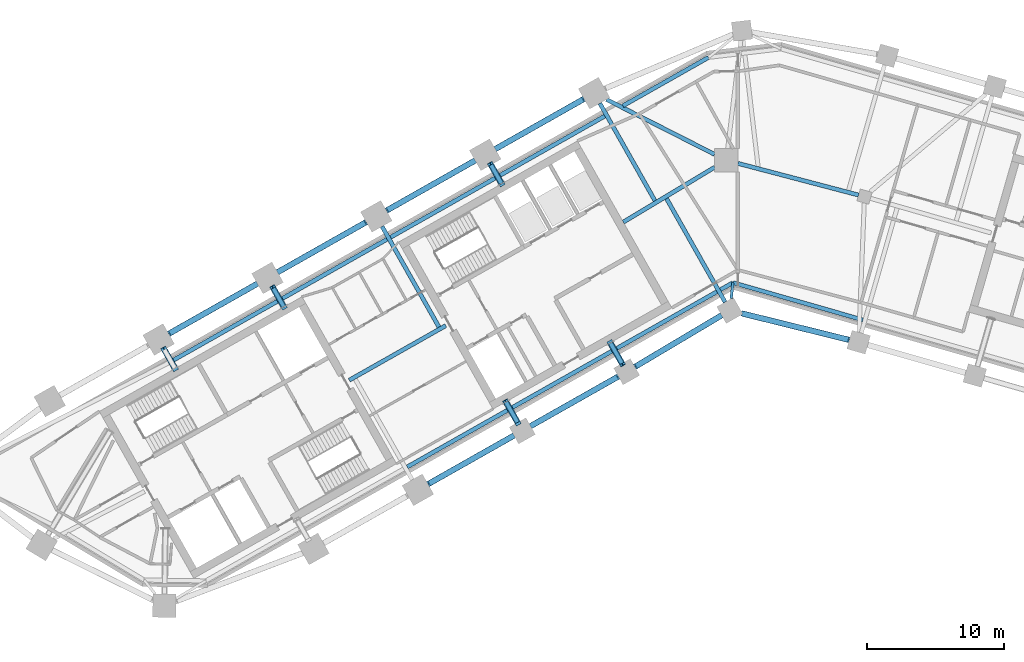
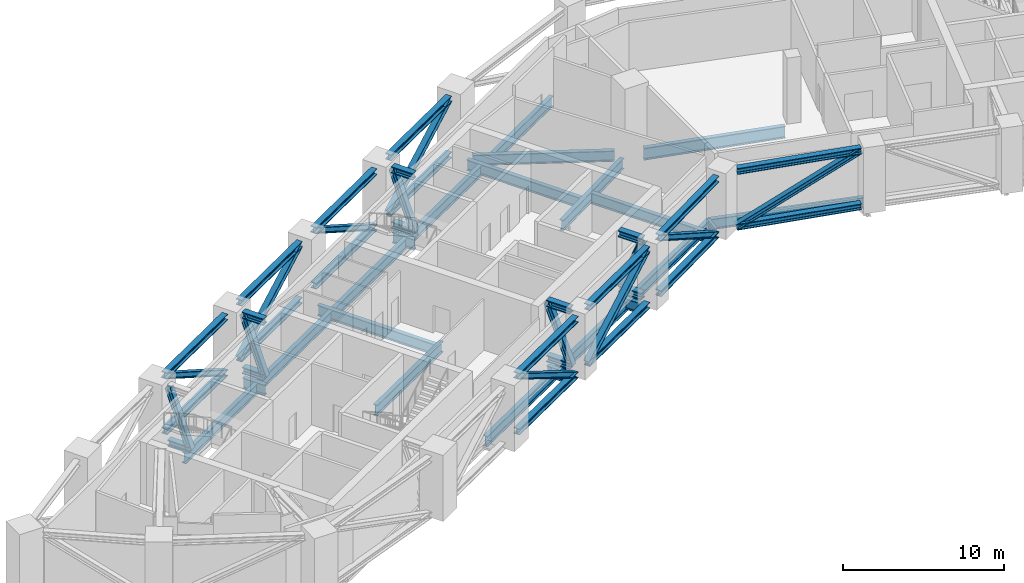
# One storey, part 2 of 16: 38 members, 22 beams.
"""IFC4 building model written with IfcOpenShell, lengths in metres."""

from ifc_helpers import new_model, si_unit, direction, frame, origin, origin_2d, place, context, subcontext, project, spatial, i_section, extrude, material, material_profile, profile_set, type_object, element, save


model = new_model("IFC4")

# Units and contexts
model_context = context("Model", 3, precision=1e-05, world=origin(), true_north=direction((0.0, 1.0)))
body_context = subcontext(model_context, "Body", "Model", "MODEL_VIEW")
ifc_project = project(units=[si_unit("LENGTHUNIT", "METRE"), si_unit("AREAUNIT", "SQUARE_METRE"), si_unit("VOLUMEUNIT", "CUBIC_METRE"), si_unit("PLANEANGLEUNIT", "RADIAN"), si_unit("MASSUNIT", "GRAM", prefix="KILO")], contexts=[model_context])

# Site, building, storey
site_placement = place(None, origin())
site = spatial("IfcSite", under=ifc_project, at=site_placement, CompositionType="ELEMENT")
building_placement = place(site_placement, origin())
building = spatial("IfcBuilding", under=site, at=building_placement, Name="Binnacle Exchange Tower", CompositionType="ELEMENT")
storey_placement = place(building_placement, frame((0.0, 0.0, 149.89990234375)))
storey = spatial("IfcBuildingStorey", under=building, at=storey_placement, Name="L31", CompositionType="ELEMENT", Elevation=149.89990234375)

# Members
ifc_material_1 = material(Name="Steel S460 (SHN460)", Category="steel")
ifc_material_profile_1 = material_profile(ifc_material_1, i_section(OverallWidth=0.4169921875, OverallDepth=0.4580078125, WebThickness=0.030029296875, FlangeThickness=0.050048828125, FilletRadius=0.02197265625, at=origin_2d()), Name="H 458x417x30x50")
ifc_profile_set_1 = profile_set([ifc_material_profile_1], Name="Steel S460 (SHN460)")
member_type_1 = type_object("IfcMemberType", Name="Belt truss chord BT31C H 458x417x30x50 Steel S460 (SHN460)", PredefinedType="CHORD", material=ifc_profile_set_1)
for number, where, z_axis, x_axis, name in (
    (1, (-11.23486328125, 64.483154296875, 4.451171875), (-0.870364477798, -0.492408037898, 0.0), (0.492408037898, -0.870364477798, 0.0), "S:TR:L31:BEL:016"),
    (2, (-11.23486328125, 64.483154296875, 0.22900390625), (-0.870364477798, -0.492408037898, 0.0), (0.492408037898, -0.870364477798, 0.0), "S:TR:L31:BEL:017"),
    (3, (-19.18115234375, 59.9873046875, 4.451171875), (-0.870364477798, -0.492408037898, 0.0), (0.492408037898, -0.870364477798, 0.0), "S:TR:L31:BEL:019"),
    (4, (-19.18115234375, 59.9873046875, 0.22900390625), (-0.870364477798, -0.492408037898, 0.0), (0.492408037898, -0.870364477798, 0.0), "S:TR:L31:BEL:020"),
):
    element("IfcMember", number, at=place(storey_placement, frame(where, z_axis=z_axis, x_axis=x_axis)), inside=storey, type_object=member_type_1, Name=name, PredefinedType="CHORD", context=body_context, shape_type="SweptSolid", body=[
        extrude(i_section(OverallWidth=0.4169921875, OverallDepth=0.4580078125, WebThickness=0.030029296875, FlangeThickness=0.050048828125, FilletRadius=0.02197265625, at=origin_2d()), origin(), (0.0, 0.0, 1.0), 7.4296875),
    ])
for number, where, z_axis, x_axis, name in (
    (5, (-27.12744140625, 55.49169921875, 4.451171875), (-0.870350394687, -0.492432929919, 0.0), (0.492432929919, -0.870350394687, 0.0), "S:TR:L31:BEL:022"),
    (6, (-27.12744140625, 55.49169921875, 0.22900390625), (-0.870350394687, -0.492432929919, 0.0), (0.492432929919, -0.870350394687, 0.0), "S:TR:L31:BEL:023"),
    (7, (-35.073486328125, 50.995849609375, 4.451171875), (-0.870372444894, -0.492393955253, 0.0), (0.492393955253, -0.870372444894, 0.0), "S:TR:L31:BEL:025"),
    (8, (-35.073486328125, 50.995849609375, 0.22900390625), (-0.870372444894, -0.492393955253, 0.0), (0.492393955253, -0.870372444894, 0.0), "S:TR:L31:BEL:026"),
):
    element("IfcMember", number, at=place(storey_placement, frame(where, z_axis=z_axis, x_axis=x_axis)), inside=storey, type_object=member_type_1, Name=name, PredefinedType="CHORD", context=body_context, shape_type="SweptSolid", body=[
        extrude(i_section(OverallWidth=0.4169921875, OverallDepth=0.4580078125, WebThickness=0.030029296875, FlangeThickness=0.050048828125, FilletRadius=0.02197265625, at=origin_2d()), origin(), (0.0, 0.0, 1.0), 7.429931640625),
    ])
for number, where, z_axis, x_axis, name in (
    (9, (-22.6162109375, 36.36474609375, 4.451171875), (0.870345646157, 0.492441322612, 0.0), (-0.492441322612, 0.870345646157, 0.0), "S:TR:L31:BEL:046"),
    (10, (-22.6162109375, 36.36474609375, 0.22900390625), (0.870345646157, 0.492441322612, 0.0), (-0.492441322612, 0.870345646157, 0.0), "S:TR:L31:BEL:047"),
):
    element("IfcMember", number, at=place(storey_placement, frame(where, z_axis=z_axis, x_axis=x_axis)), inside=storey, type_object=member_type_1, Name=name, PredefinedType="CHORD", context=body_context, shape_type="SweptSolid", body=[
        extrude(i_section(OverallWidth=0.4169921875, OverallDepth=0.4580078125, WebThickness=0.030029296875, FlangeThickness=0.050048828125, FilletRadius=0.02197265625, at=origin_2d()), origin(), (0.0, 0.0, 1.0), 7.20458984375),
    ])
for number, where, z_axis, x_axis, name in (
    (11, (-15.127197265625, 40.601806640625, 4.451171875), (0.870355645737, 0.492423648837, 0.0), (-0.492423648837, 0.870355645737, 0.0), "S:TR:L31:BEL:049"),
    (12, (-15.127197265625, 40.601806640625, 0.22900390625), (0.870355645737, 0.492423648837, 0.0), (-0.492423648837, 0.870355645737, 0.0), "S:TR:L31:BEL:050"),
):
    element("IfcMember", number, at=place(storey_placement, frame(where, z_axis=z_axis, x_axis=x_axis)), inside=storey, type_object=member_type_1, Name=name, PredefinedType="CHORD", context=body_context, shape_type="SweptSolid", body=[
        extrude(i_section(OverallWidth=0.4169921875, OverallDepth=0.4580078125, WebThickness=0.030029296875, FlangeThickness=0.050048828125, FilletRadius=0.02197265625, at=origin_2d()), origin(), (0.0, 0.0, 1.0), 7.3544921875),
    ])
for number, where, z_axis, x_axis, name in (
    (13, (-7.51513671875, 44.926025390625, 4.451171875), (0.859466137143, 0.511192682952, 0.0), (-0.511192682952, 0.859466137143, 0.0), "S:TR:L31:BEL:052"),
    (14, (-7.51513671875, 44.926025390625, 0.22900390625), (0.859466137143, 0.511192682952, 0.0), (-0.511192682952, 0.859466137143, 0.0), "S:TR:L31:BEL:053"),
):
    element("IfcMember", number, at=place(storey_placement, frame(where, z_axis=z_axis, x_axis=x_axis)), inside=storey, type_object=member_type_1, Name=name, PredefinedType="CHORD", context=body_context, shape_type="SweptSolid", body=[
        extrude(i_section(OverallWidth=0.4169921875, OverallDepth=0.4580078125, WebThickness=0.030029296875, FlangeThickness=0.050048828125, FilletRadius=0.02197265625, at=origin_2d()), origin(), (0.0, 0.0, 1.0), 7.356201171875),
    ])
for number, where, z_axis, x_axis, name in (
    (15, (0.343994140625, 48.8134765625, 4.451171875), (0.970820959584, -0.239805472064, 0.0), (0.239805472064, 0.970820959584, 0.0), "S:TR:L31:BEL:055"),
    (16, (0.343994140625, 48.8134765625, 0.22900390625), (0.970820959584, -0.239805472064, 0.0), (0.239805472064, 0.970820959584, 0.0), "S:TR:L31:BEL:056"),
):
    element("IfcMember", number, at=place(storey_placement, frame(where, z_axis=z_axis, x_axis=x_axis)), inside=storey, type_object=member_type_1, Name=name, PredefinedType="CHORD", context=body_context, shape_type="SweptSolid", body=[
        extrude(i_section(OverallWidth=0.4169921875, OverallDepth=0.4580078125, WebThickness=0.030029296875, FlangeThickness=0.050048828125, FilletRadius=0.02197265625, at=origin_2d()), origin(), (0.0, 0.0, 1.0), 8.019287109375),
    ])
ifc_material_2 = material(Name="Steel S355 (SHN355)", Category="steel")
ifc_material_profile_2 = material_profile(ifc_material_2, i_section(OverallWidth=0.403076171875, OverallDepth=0.406005859375, WebThickness=0.01611328125, FlangeThickness=0.02392578125, FilletRadius=0.02197265625, at=origin_2d()), Name="H 406x403x16x24")
ifc_profile_set_2 = profile_set([ifc_material_profile_2], Name="Steel S355 (SHN355)")
member_type_2 = type_object("IfcMemberType", Name="Belt truss diagonal BT31D H 406x403x16x24 Steel S355 (SHN355)", PredefinedType="BRACE", material=ifc_profile_set_2)
for number, where, z_axis, x_axis, name in (
    (17, (-11.23486328125, 64.483154296875, 4.451171875), (-0.756711564244, -0.428108988946, -0.494075198854), (0.492408037898, -0.870364477798, 0.0), "S:TR:L31:BEL:018"),
    (18, (-19.18115234375, 59.9873046875, 0.22900390625), (-0.756711564244, -0.428108988946, 0.494075198854), (0.492408037898, -0.870364477798, 0.0), "S:TR:L31:BEL:021"),
    (19, (-27.12744140625, 55.49169921875, 4.451171875), (-0.75670230898, -0.428132321606, -0.494069155869), (0.492432929919, -0.870350394687, 0.0), "S:TR:L31:BEL:024"),
):
    element("IfcMember", number, at=place(storey_placement, frame(where, z_axis=z_axis, x_axis=x_axis)), inside=storey, type_object=member_type_2, Name=name, PredefinedType="BRACE", context=body_context, shape_type="SweptSolid", body=[
        extrude(i_section(OverallWidth=0.403076171875, OverallDepth=0.406005859375, WebThickness=0.01611328125, FlangeThickness=0.02392578125, FilletRadius=0.02197265625, at=origin_2d()), origin(), (0.0, 0.0, 1.0), 8.545654296875),
    ])
member_1_placement = place(storey_placement, frame((-35.073486328125, 50.995849609375, 0.22900390625), z_axis=(-0.756723773957, -0.428099733945, 0.494064517775), x_axis=(0.492393955253, -0.870372444894, 0.0)))
element("IfcMember", 20, at=member_1_placement, inside=storey, type_object=member_type_2, Name="S:TR:L31:BEL:027", PredefinedType="BRACE", context=body_context, shape_type="SweptSolid", body=[
    extrude(i_section(OverallWidth=0.403076171875, OverallDepth=0.406005859375, WebThickness=0.01611328125, FlangeThickness=0.02392578125, FilletRadius=0.02197265625, at=origin_2d()), origin(), (0.0, 0.0, 1.0), 8.5458984375),
])
member_2_placement = place(storey_placement, frame((-22.6162109375, 36.36474609375, 4.451171875), z_axis=(0.750901288292, 0.424859738415, -0.505609985973), x_axis=(-0.492441322612, 0.870345646157, 0.0)))
element("IfcMember", 21, at=member_2_placement, inside=storey, type_object=member_type_2, Name="S:TR:L31:BEL:048", PredefinedType="BRACE", context=body_context, shape_type="SweptSolid", body=[
    extrude(i_section(OverallWidth=0.403076171875, OverallDepth=0.406005859375, WebThickness=0.01611328125, FlangeThickness=0.02392578125, FilletRadius=0.02197265625, at=origin_2d()), origin(), (0.0, 0.0, 1.0), 8.3505859375),
])
member_3_placement = place(storey_placement, frame((-15.127197265625, 40.601806640625, 0.22900390625), z_axis=(0.754815118885, 0.427053948417, 0.49787454388), x_axis=(-0.492423648837, 0.870355645737, 0.0)))
element("IfcMember", 22, at=member_3_placement, inside=storey, type_object=member_type_2, Name="S:TR:L31:BEL:051", PredefinedType="BRACE", context=body_context, shape_type="SweptSolid", body=[
    extrude(i_section(OverallWidth=0.403076171875, OverallDepth=0.406005859375, WebThickness=0.01611328125, FlangeThickness=0.02392578125, FilletRadius=0.02197265625, at=origin_2d()), origin(), (0.0, 0.0, 1.0), 8.48046875),
])
member_4_placement = place(storey_placement, frame((-7.51513671875, 44.926025390625, 4.451171875), z_axis=(0.745414298378, 0.443357008067, -0.497787190646), x_axis=(-0.511192682952, 0.859466137143, 0.0)))
element("IfcMember", 23, at=member_4_placement, inside=storey, type_object=member_type_2, Name="S:TR:L31:BEL:054", PredefinedType="BRACE", context=body_context, shape_type="SweptSolid", body=[
    extrude(i_section(OverallWidth=0.403076171875, OverallDepth=0.406005859375, WebThickness=0.01611328125, FlangeThickness=0.02392578125, FilletRadius=0.02197265625, at=origin_2d()), origin(), (0.0, 0.0, 1.0), 8.48193359375),
])
member_5_placement = place(storey_placement, frame((0.343994140625, 48.8134765625, 0.22900390625), z_axis=(0.85903393753, -0.212192615821, 0.465870140664), x_axis=(0.239805472064, 0.970820959584, 0.0)))
element("IfcMember", 24, at=member_5_placement, inside=storey, type_object=member_type_2, Name="S:TR:L31:BEL:057", PredefinedType="BRACE", context=body_context, shape_type="SweptSolid", body=[
    extrude(i_section(OverallWidth=0.403076171875, OverallDepth=0.406005859375, WebThickness=0.01611328125, FlangeThickness=0.02392578125, FilletRadius=0.02197265625, at=origin_2d()), origin(), (0.0, 0.0, 1.0), 9.06298828125),
])

# Beams
ifc_material_profile_3 = material_profile(ifc_material_2, i_section(OverallWidth=0.300048828125, OverallDepth=0.800048828125, WebThickness=0.013916015625, FlangeThickness=0.02587890625, FilletRadius=0.028076171875, at=origin_2d()), Name="H 800x300x14x26")
ifc_profile_set_3 = profile_set([ifc_material_profile_3], Name="Steel S355 (SHN355)")
beam_type_1 = type_object("IfcBeamType", Name="Edge girder H 800x300x14x26 Steel S355 (SHN355)", PredefinedType="SPANDREL", material=ifc_profile_set_3)
for number, where, z_axis, x_axis, name in (
    (25, (-41.243408203125, 45.39111328125, -0.75), (0.870355237169, 0.492424370977, 0.0), (-0.492424370977, 0.870355237169, 0.0), "S:BM:edge:L31:019"),
    (26, (-33.297119140625, 49.886962890625, -0.75), (0.870355237169, 0.492424370977, 0.0), (-0.492424370977, 0.870355237169, 0.0), "S:BM:edge:L31:021"),
):
    element("IfcBeam", number, at=place(storey_placement, frame(where, z_axis=z_axis, x_axis=x_axis)), inside=storey, type_object=beam_type_1, Name=name, PredefinedType="SPANDREL", context=body_context, shape_type="SweptSolid", body=[
        extrude(i_section(OverallWidth=0.300048828125, OverallDepth=0.800048828125, WebThickness=0.013916015625, FlangeThickness=0.02587890625, FilletRadius=0.028076171875, at=origin_2d()), origin(), (0.0, 0.0, 1.0), 8.830078125),
    ])
beam_1_placement = place(storey_placement, frame((-25.350830078125, 54.3828125, -0.75), z_axis=(0.870367086897, 0.492403426111, 0.0), x_axis=(-0.492403426111, 0.870367086897, 0.0)))
element("IfcBeam", 27, at=beam_1_placement, inside=storey, type_object=beam_type_1, Name="S:BM:edge:L31:023", PredefinedType="SPANDREL", context=body_context, shape_type="SweptSolid", body=[
    extrude(i_section(OverallWidth=0.300048828125, OverallDepth=0.800048828125, WebThickness=0.013916015625, FlangeThickness=0.02587890625, FilletRadius=0.028076171875, at=origin_2d()), origin(), (0.0, 0.0, 1.0), 8.829833984375),
])
beam_2_placement = place(storey_placement, frame((-17.404296875, 58.87841796875, -0.75), z_axis=(0.870352119126, 0.492429882046, 0.0), x_axis=(-0.492429882046, 0.870352119126, 0.0)))
element("IfcBeam", 28, at=beam_2_placement, inside=storey, type_object=beam_type_1, Name="S:BM:edge:L31:025", PredefinedType="SPANDREL", context=body_context, shape_type="SweptSolid", body=[
    extrude(i_section(OverallWidth=0.300048828125, OverallDepth=0.800048828125, WebThickness=0.013916015625, FlangeThickness=0.02587890625, FilletRadius=0.028076171875, at=origin_2d()), origin(), (0.0, 0.0, 1.0), 8.8291015625),
])
beam_3_placement = place(storey_placement, frame((-16.772705078125, 41.784912109375, -0.75), z_axis=(-0.870362169255, -0.492412118383, 0.0), x_axis=(0.492412118383, -0.870362169255, 0.0)))
element("IfcBeam", 29, at=beam_3_placement, inside=storey, type_object=beam_type_1, Name="S:BM:edge:L31:026", PredefinedType="SPANDREL", context=body_context, shape_type="SweptSolid", body=[
    extrude(i_section(OverallWidth=0.300048828125, OverallDepth=0.800048828125, WebThickness=0.013916015625, FlangeThickness=0.02587890625, FilletRadius=0.028076171875, at=origin_2d()), origin(), (0.0, 0.0, 1.0), 8.455078125),
])
beam_4_placement = place(storey_placement, frame((-9.153564453125, 46.095703125, -0.75), z_axis=(-0.87035353945, -0.492427371668, 0.0), x_axis=(0.492427371668, -0.87035353945, 0.0)))
element("IfcBeam", 30, at=beam_4_placement, inside=storey, type_object=beam_type_1, Name="S:BM:edge:L31:027", PredefinedType="SPANDREL", context=body_context, shape_type="SweptSolid", body=[
    extrude(i_section(OverallWidth=0.300048828125, OverallDepth=0.800048828125, WebThickness=0.013916015625, FlangeThickness=0.02587890625, FilletRadius=0.028076171875, at=origin_2d()), origin(), (0.0, 0.0, 1.0), 8.4541015625),
])
beam_5_placement = place(storey_placement, frame((-8.396240234375, 63.97509765625, -0.75), z_axis=(0.870355215892, 0.492424408585, 0.0), x_axis=(-0.492424408585, 0.870355215892, 0.0)))
element("IfcBeam", 31, at=beam_5_placement, inside=storey, type_object=beam_type_1, Name="S:BM:edge:L31:028", PredefinedType="SPANDREL", context=body_context, shape_type="SweptSolid", body=[
    extrude(i_section(OverallWidth=0.300048828125, OverallDepth=0.800048828125, WebThickness=0.013916015625, FlangeThickness=0.02587890625, FilletRadius=0.028076171875, at=origin_2d()), origin(), (0.0, 0.0, 1.0), 7.18603515625),
])
beam_6_placement = place(storey_placement, frame((-1.53369140625, 50.40673828125, -0.75), z_axis=(-0.870362169255, -0.492412118383, 0.0), x_axis=(0.492412118383, -0.870362169255, 0.0)))
element("IfcBeam", 32, at=beam_6_placement, inside=storey, type_object=beam_type_1, Name="S:BM:edge:L31:030", PredefinedType="SPANDREL", context=body_context, shape_type="SweptSolid", body=[
    extrude(i_section(OverallWidth=0.300048828125, OverallDepth=0.800048828125, WebThickness=0.013916015625, FlangeThickness=0.02587890625, FilletRadius=0.028076171875, at=origin_2d()), origin(), (0.0, 0.0, 1.0), 8.455078125),
])
beam_7_placement = place(storey_placement, frame((-0.36328125, 51.069091796875, -0.75), z_axis=(-0.870349468157, -0.49243456751, 0.0), x_axis=(0.49243456751, -0.870349468157, 0.0)))
element("IfcBeam", 33, at=beam_7_placement, inside=storey, type_object=beam_type_1, Name="S:BM:edge:L31:031", PredefinedType="SPANDREL", context=body_context, shape_type="SweptSolid", body=[
    extrude(i_section(OverallWidth=0.300048828125, OverallDepth=0.800048828125, WebThickness=0.013916015625, FlangeThickness=0.02587890625, FilletRadius=0.028076171875, at=origin_2d()), origin(), (0.0, 0.0, 1.0), 1.044677734375),
])
beam_8_placement = place(storey_placement, frame((9.119873046875, 48.349853515625, -0.75), z_axis=(-0.961262030472, 0.275636189156, 0.0), x_axis=(-0.275636189156, -0.961262030472, 0.0)))
element("IfcBeam", 34, at=beam_8_placement, inside=storey, type_object=beam_type_1, Name="S:BM:edge:L31:034", PredefinedType="SPANDREL", context=body_context, shape_type="SweptSolid", body=[
    extrude(i_section(OverallWidth=0.300048828125, OverallDepth=0.800048828125, WebThickness=0.013916015625, FlangeThickness=0.02587890625, FilletRadius=0.028076171875, at=origin_2d()), origin(), (0.0, 0.0, 1.0), 9.865234375),
])
ifc_material_profile_4 = material_profile(ifc_material_2, i_section(OverallWidth=0.199951171875, OverallDepth=0.39990234375, WebThickness=0.008056640625, FlangeThickness=0.012939453125, FilletRadius=0.01611328125, at=origin_2d()), Name="H 400x200x8x13")
ifc_profile_set_4 = profile_set([ifc_material_profile_4], Name="Steel S355 (SHN355)")
beam_type_2 = type_object("IfcBeamType", Name="Floor beam H 400x200x8x13 Steel S355 (SHN355)", PredefinedType="BEAM", material=ifc_profile_set_4)
beam_9_placement = place(storey_placement, frame((-0.494384765625, 49.9033203125, -0.5498046875), z_axis=(0.111756239638, 0.993735650413, 0.0), x_axis=(-0.993735650413, 0.111756239638, 0.0)))
element("IfcBeam", 35, at=beam_9_placement, inside=storey, type_object=beam_type_2, Name="S:BM:cross:L31:065", PredefinedType="BEAM", context=body_context, shape_type="SweptSolid", body=[
    extrude(i_section(OverallWidth=0.199951171875, OverallDepth=0.39990234375, WebThickness=0.008056640625, FlangeThickness=0.012939453125, FilletRadius=0.01611328125, at=origin_2d()), origin(), (0.0, 0.0, 1.0), 1.173095703125),
])
ifc_material_profile_5 = material_profile(ifc_material_2, i_section(OverallWidth=0.300048828125, OverallDepth=0.800048828125, WebThickness=0.013916015625, FlangeThickness=0.02587890625, FilletRadius=0.028076171875, at=origin_2d()), Name="H 800x300x14x26")
ifc_profile_set_5 = profile_set([ifc_material_profile_5], Name="Steel S355 (SHN355)")
beam_type_3 = type_object("IfcBeamType", Name="Floor beam H 800x300x14x26 Steel S355 (SHN355)", PredefinedType="BEAM", material=ifc_profile_set_5)
beam_10_placement = place(storey_placement, frame((-33.915283203125, 50.674560546875, -0.75), z_axis=(0.492483715062, -0.870321659158, 0.0), x_axis=(0.870321659158, 0.492483715062, 0.0)))
element("IfcBeam", 36, at=beam_10_placement, inside=storey, type_object=beam_type_3, Name="S:BM:cross:L31:056", PredefinedType="BEAM", context=body_context, shape_type="SweptSolid", body=[
    extrude(i_section(OverallWidth=0.300048828125, OverallDepth=0.800048828125, WebThickness=0.013916015625, FlangeThickness=0.02587890625, FilletRadius=0.028076171875, at=origin_2d()), origin(), (0.0, 0.0, 1.0), 1.58447265625),
])
beam_11_placement = place(storey_placement, frame((-18.022705078125, 59.666259765625, -0.75), z_axis=(0.492366981934, -0.870387703901, 0.0), x_axis=(0.870387703901, 0.492366981934, 0.0)))
element("IfcBeam", 37, at=beam_11_placement, inside=storey, type_object=beam_type_3, Name="S:BM:cross:L31:060", PredefinedType="BEAM", context=body_context, shape_type="SweptSolid", body=[
    extrude(i_section(OverallWidth=0.300048828125, OverallDepth=0.800048828125, WebThickness=0.013916015625, FlangeThickness=0.02587890625, FilletRadius=0.028076171875, at=origin_2d()), origin(), (0.0, 0.0, 1.0), 1.584228515625),
])
for number, where, z_axis, x_axis, name in (
    (38, (-16.0810546875, 40.866455078125, -0.75), (-0.492405102951, 0.870366138236, 0.0), (-0.870366138236, -0.492405102951, 0.0), "S:BM:cross:L31:061"),
    (39, (-8.461669921875, 45.17724609375, -0.75), (-0.492405102951, 0.870366138236, 0.0), (-0.870366138236, -0.492405102951, 0.0), "S:BM:cross:L31:063"),
):
    element("IfcBeam", number, at=place(storey_placement, frame(where, z_axis=z_axis, x_axis=x_axis)), inside=storey, type_object=beam_type_3, Name=name, PredefinedType="BEAM", context=body_context, shape_type="SweptSolid", body=[
        extrude(i_section(OverallWidth=0.300048828125, OverallDepth=0.800048828125, WebThickness=0.013916015625, FlangeThickness=0.02587890625, FilletRadius=0.028076171875, at=origin_2d()), origin(), (0.0, 0.0, 1.0), 1.734375),
    ])
ifc_material_profile_6 = material_profile(ifc_material_2, i_section(OverallWidth=0.302001953125, OverallDepth=0.80810546875, WebThickness=0.01611328125, FlangeThickness=0.030029296875, FilletRadius=0.028076171875, at=origin_2d()), Name="H 808x302x16x30")
ifc_profile_set_6 = profile_set([ifc_material_profile_6], Name="Steel S355 (SHN355)")
beam_type_4 = type_object("IfcBeamType", Name="Floor beam H 808x302x16x30 Steel S355 (SHN355)", PredefinedType="BEAM", material=ifc_profile_set_6)
beam_12_placement = place(storey_placement, frame((-25.968994140625, 55.17041015625, -0.75390625), z_axis=(0.492409177884, -0.870363832851, 0.0), x_axis=(0.870363832851, 0.492409177884, 0.0)))
element("IfcBeam", 40, at=beam_12_placement, inside=storey, type_object=beam_type_4, Name="S:BM:cross:L31:058", PredefinedType="BEAM", context=body_context, shape_type="SweptSolid", body=[
    extrude(i_section(OverallWidth=0.302001953125, OverallDepth=0.80810546875, WebThickness=0.01611328125, FlangeThickness=0.030029296875, FilletRadius=0.028076171875, at=origin_2d()), origin(), (0.0, 0.0, 1.0), 8.43408203125),
])
beam_13_placement = place(storey_placement, frame((-10.076416015625, 64.161865234375, -0.75390625), z_axis=(0.492410737926, -0.870362950254, 0.0), x_axis=(0.870362950254, 0.492410737926, 0.0)))
element("IfcBeam", 41, at=beam_13_placement, inside=storey, type_object=beam_type_4, Name="S:BM:cross:L31:062", PredefinedType="BEAM", context=body_context, shape_type="SweptSolid", body=[
    extrude(i_section(OverallWidth=0.302001953125, OverallDepth=0.80810546875, WebThickness=0.01611328125, FlangeThickness=0.030029296875, FilletRadius=0.028076171875, at=origin_2d()), origin(), (0.0, 0.0, 1.0), 8.16943359375),
])
beam_14_placement = place(storey_placement, frame((-0.935546875, 49.65380859375, -0.75390625), z_axis=(-0.492429801489, 0.870352164704, 0.0), x_axis=(-0.870352164704, -0.492429801489, 0.0)))
element("IfcBeam", 42, at=beam_14_placement, inside=storey, type_object=beam_type_4, Name="S:BM:cross:L31:064", PredefinedType="BEAM", context=body_context, shape_type="SweptSolid", body=[
    extrude(i_section(OverallWidth=0.302001953125, OverallDepth=0.80810546875, WebThickness=0.01611328125, FlangeThickness=0.030029296875, FilletRadius=0.028076171875, at=origin_2d()), origin(), (0.0, 0.0, 1.0), 8.6796875),
])

# Members
ifc_material_profile_7 = material_profile(ifc_material_1, i_section(OverallWidth=0.431884765625, OverallDepth=0.498046875, WebThickness=0.044921875, FlangeThickness=0.070068359375, FilletRadius=0.02197265625, at=origin_2d()), Name="H 498x432x45x70")
ifc_profile_set_7 = profile_set([ifc_material_profile_7], Name="Steel S460 (SHN460)")
member_type_3 = type_object("IfcMemberType", Name="Outrigger truss chord OT31C H 498x432x45x70 Steel S460 (SHN460)", PredefinedType="CHORD", material=ifc_profile_set_7)
member_6_placement = place(storey_placement, frame((-41.861328125, 46.178955078125, 0.2490234375), z_axis=(0.492286444757, -0.870433257814, 0.0), x_axis=(0.870433257814, 0.492286444757, 0.0)))
element("IfcMember", 43, at=member_6_placement, inside=storey, type_object=member_type_3, Name="S:TR:L31:OUT:089", PredefinedType="CHORD", context=body_context, shape_type="SweptSolid", body=[
    extrude(i_section(OverallWidth=0.431884765625, OverallDepth=0.498046875, WebThickness=0.044921875, FlangeThickness=0.070068359375, FilletRadius=0.02197265625, at=origin_2d()), origin(), (0.0, 0.0, 1.0), 1.54443359375),
])
for number, where, z_axis, x_axis, name in (
    (44, (-33.915283203125, 50.674560546875, 4.43115234375), (0.492473961812, -0.870327178098, 0.0), (0.870327178098, 0.492473961812, 0.0), "S:TR:L31:OUT:094"),
    (45, (-33.915283203125, 50.674560546875, 0.2490234375), (0.492473961812, -0.870327178098, 0.0), (0.870327178098, 0.492473961812, 0.0), "S:TR:L31:OUT:095"),
):
    element("IfcMember", number, at=place(storey_placement, frame(where, z_axis=z_axis, x_axis=x_axis)), inside=storey, type_object=member_type_3, Name=name, PredefinedType="CHORD", context=body_context, shape_type="SweptSolid", body=[
        extrude(i_section(OverallWidth=0.431884765625, OverallDepth=0.498046875, WebThickness=0.044921875, FlangeThickness=0.070068359375, FilletRadius=0.02197265625, at=origin_2d()), origin(), (0.0, 0.0, 1.0), 1.544189453125),
    ])
for number, where, z_axis, x_axis, name in (
    (46, (-18.022705078125, 59.666259765625, 4.43115234375), (0.49240620689, -0.870365513687, 0.0), (0.870365513687, 0.49240620689, 0.0), "S:TR:L31:OUT:118"),
    (47, (-18.022705078125, 59.666259765625, 0.2490234375), (0.49240620689, -0.870365513687, 0.0), (0.870365513687, 0.49240620689, 0.0), "S:TR:L31:OUT:119"),
):
    element("IfcMember", number, at=place(storey_placement, frame(where, z_axis=z_axis, x_axis=x_axis)), inside=storey, type_object=member_type_3, Name=name, PredefinedType="CHORD", context=body_context, shape_type="SweptSolid", body=[
        extrude(i_section(OverallWidth=0.431884765625, OverallDepth=0.498046875, WebThickness=0.044921875, FlangeThickness=0.070068359375, FilletRadius=0.02197265625, at=origin_2d()), origin(), (0.0, 0.0, 1.0), 1.54443359375),
    ])
for number, where, z_axis, x_axis, name in (
    (48, (-16.0810546875, 40.866455078125, 4.43115234375), (-0.492394350893, 0.870372221069, 0.0), (-0.870372221069, -0.492394350893, 0.0), "S:TR:L31:OUT:121"),
    (49, (-16.0810546875, 40.866455078125, 0.2490234375), (-0.492394350893, 0.870372221069, 0.0), (-0.870372221069, -0.492394350893, 0.0), "S:TR:L31:OUT:122"),
    (50, (-8.461669921875, 45.17724609375, 4.43115234375), (-0.492332600402, 0.870407152189, 0.0), (-0.870407152189, -0.492332600402, 0.0), "S:TR:L31:OUT:124"),
    (51, (-8.461669921875, 45.17724609375, 0.2490234375), (-0.492332600402, 0.870407152189, 0.0), (-0.870407152189, -0.492332600402, 0.0), "S:TR:L31:OUT:125"),
):
    element("IfcMember", number, at=place(storey_placement, frame(where, z_axis=z_axis, x_axis=x_axis)), inside=storey, type_object=member_type_3, Name=name, PredefinedType="CHORD", context=body_context, shape_type="SweptSolid", body=[
        extrude(i_section(OverallWidth=0.431884765625, OverallDepth=0.498046875, WebThickness=0.044921875, FlangeThickness=0.070068359375, FilletRadius=0.02197265625, at=origin_2d()), origin(), (0.0, 0.0, 1.0), 1.6943359375),
    ])
ifc_material_profile_8 = material_profile(ifc_material_2, i_section(OverallWidth=0.406982421875, OverallDepth=0.427978515625, WebThickness=0.02001953125, FlangeThickness=0.034912109375, FilletRadius=0.02197265625, at=origin_2d()), Name="H 428x407x20x35")
ifc_profile_set_8 = profile_set([ifc_material_profile_8], Name="Steel S355 (SHN355)")
member_type_4 = type_object("IfcMemberType", Name="Outrigger truss diagonal OT31D H 428x407x20x35 Steel S355 (SHN355)", PredefinedType="BRACE", material=ifc_profile_set_8)
member_7_placement = place(storey_placement, frame((-41.861328125, 46.178955078125, 4.43115234375), z_axis=(0.170530981487, -0.30152330895, -0.938084686216), x_axis=(0.870433257814, 0.492286444757, 0.0)))
element("IfcMember", 52, at=member_7_placement, inside=storey, type_object=member_type_4, Name="S:TR:L31:OUT:090", PredefinedType="BRACE", context=body_context, shape_type="SweptSolid", body=[
    extrude(i_section(OverallWidth=0.406982421875, OverallDepth=0.427978515625, WebThickness=0.02001953125, FlangeThickness=0.034912109375, FilletRadius=0.02197265625, at=origin_2d()), origin(), (0.0, 0.0, 1.0), 4.458251953125),
])
member_8_placement = place(storey_placement, frame((-33.915283203125, 50.674560546875, 4.43115234375), z_axis=(0.170586967363, -0.301470707972, -0.938091412817), x_axis=(0.870327178098, 0.492473961812, 0.0)))
element("IfcMember", 53, at=member_8_placement, inside=storey, type_object=member_type_4, Name="S:TR:L31:OUT:096", PredefinedType="BRACE", context=body_context, shape_type="SweptSolid", body=[
    extrude(i_section(OverallWidth=0.406982421875, OverallDepth=0.427978515625, WebThickness=0.02001953125, FlangeThickness=0.034912109375, FilletRadius=0.02197265625, at=origin_2d()), origin(), (0.0, 0.0, 1.0), 4.4580078125),
])
member_9_placement = place(storey_placement, frame((-18.022705078125, 59.666259765625, 4.43115234375), z_axis=(0.170584150878, -0.301520492691, -0.938075924409), x_axis=(0.870365513687, 0.49240620689, 0.0)))
element("IfcMember", 54, at=member_9_placement, inside=storey, type_object=member_type_4, Name="S:TR:L31:OUT:120", PredefinedType="BRACE", context=body_context, shape_type="SweptSolid", body=[
    extrude(i_section(OverallWidth=0.406982421875, OverallDepth=0.427978515625, WebThickness=0.02001953125, FlangeThickness=0.034912109375, FilletRadius=0.02197265625, at=origin_2d()), origin(), (0.0, 0.0, 1.0), 4.458251953125),
])
member_10_placement = place(storey_placement, frame((-16.0810546875, 40.866455078125, 0.2490234375), z_axis=(-0.184879864683, 0.326799643747, 0.926834088972), x_axis=(-0.870372221069, -0.492394350893, 0.0)))
element("IfcMember", 55, at=member_10_placement, inside=storey, type_object=member_type_4, Name="S:TR:L31:OUT:123", PredefinedType="BRACE", context=body_context, shape_type="SweptSolid", body=[
    extrude(i_section(OverallWidth=0.406982421875, OverallDepth=0.427978515625, WebThickness=0.02001953125, FlangeThickness=0.034912109375, FilletRadius=0.02197265625, at=origin_2d()), origin(), (0.0, 0.0, 1.0), 4.51220703125),
])
member_11_placement = place(storey_placement, frame((-8.461669921875, 45.17724609375, 4.43115234375), z_axis=(-0.184876595492, 0.326847969964, -0.926817699965), x_axis=(-0.870407152189, -0.492332600402, 0.0)))
element("IfcMember", 56, at=member_11_placement, inside=storey, type_object=member_type_4, Name="S:TR:L31:OUT:126", PredefinedType="BRACE", context=body_context, shape_type="SweptSolid", body=[
    extrude(i_section(OverallWidth=0.406982421875, OverallDepth=0.427978515625, WebThickness=0.02001953125, FlangeThickness=0.034912109375, FilletRadius=0.02197265625, at=origin_2d()), origin(), (0.0, 0.0, 1.0), 4.512451171875),
])

# Beams
ifc_material_profile_9 = material_profile(ifc_material_2, i_section(OverallWidth=0.300048828125, OverallDepth=0.800048828125, WebThickness=0.013916015625, FlangeThickness=0.02587890625, FilletRadius=0.028076171875, at=origin_2d()), Name="H 800x300x14x26")
ifc_profile_set_9 = profile_set([ifc_material_profile_9], Name="Steel S355 (SHN355)")
beam_type_5 = type_object("IfcBeamType", Name="Spine girder H 800x300x14x26 Steel S355 (SHN355)", PredefinedType="BEAM", material=ifc_profile_set_9)
beam_15_placement = place(storey_placement, frame((-1.699951171875, 60.431884765625, -0.75), z_axis=(-0.891471296315, 0.45307717648, 0.0), x_axis=(-0.45307717648, -0.891471296315, 0.0)))
element("IfcBeam", 57, at=beam_15_placement, inside=storey, type_object=beam_type_5, Name="S:BM:spine:L31:004", PredefinedType="BEAM", context=body_context, shape_type="SweptSolid", body=[
    extrude(i_section(OverallWidth=0.300048828125, OverallDepth=0.800048828125, WebThickness=0.013916015625, FlangeThickness=0.02587890625, FilletRadius=0.028076171875, at=origin_2d()), origin(), (0.0, 0.0, 1.0), 8.845703125),
])
ifc_material_profile_10 = material_profile(ifc_material_2, i_section(OverallWidth=0.302001953125, OverallDepth=0.80810546875, WebThickness=0.01611328125, FlangeThickness=0.030029296875, FilletRadius=0.028076171875, at=origin_2d()), Name="H 808x302x16x30")
ifc_profile_set_10 = profile_set([ifc_material_profile_10], Name="Steel S355 (SHN355)")
beam_type_6 = type_object("IfcBeamType", Name="Spine girder H 808x302x16x30 Steel S355 (SHN355)", PredefinedType="BEAM", material=ifc_profile_set_10)
beam_16_placement = place(storey_placement, frame((-28.365478515625, 43.951416015625, -0.75390625), z_axis=(0.870350319004, 0.492433063684, 0.0), x_axis=(-0.492433063684, 0.870350319004, 0.0)))
element("IfcBeam", 58, at=beam_16_placement, inside=storey, type_object=beam_type_6, Name="S:BM:spine:L31:002", PredefinedType="BEAM", context=body_context, shape_type="SweptSolid", body=[
    extrude(i_section(OverallWidth=0.302001953125, OverallDepth=0.80810546875, WebThickness=0.01611328125, FlangeThickness=0.030029296875, FilletRadius=0.028076171875, at=origin_2d()), origin(), (0.0, 0.0, 1.0), 8.0908203125),
])
beam_17_placement = place(storey_placement, frame((-8.36328125, 55.489990234375, -0.75390625), z_axis=(0.857393122678, 0.514662057261, 0.0), x_axis=(-0.514662057261, 0.857393122678, 0.0)))
element("IfcBeam", 59, at=beam_17_placement, inside=storey, type_object=beam_type_6, Name="S:BM:spine:L31:003", PredefinedType="BEAM", context=body_context, shape_type="SweptSolid", body=[
    extrude(i_section(OverallWidth=0.302001953125, OverallDepth=0.80810546875, WebThickness=0.01611328125, FlangeThickness=0.030029296875, FilletRadius=0.028076171875, at=origin_2d()), origin(), (0.0, 0.0, 1.0), 7.771728515625),
])
ifc_material_profile_11 = material_profile(ifc_material_2, i_section(OverallWidth=0.302001953125, OverallDepth=0.912109375, WebThickness=0.01806640625, FlangeThickness=0.033935546875, FilletRadius=0.028076171875, at=origin_2d()), Name="H 912x302x18x34")
ifc_profile_set_11 = profile_set([ifc_material_profile_11], Name="Steel S355 (SHN355)")
beam_type_7 = type_object("IfcBeamType", Name="Spine girder H 912x302x18x34 Steel S355 (SHN355)", PredefinedType="BEAM", material=ifc_profile_set_11)
beam_18_placement = place(storey_placement, frame((0.0, 59.77685546875, -0.805908203125), z_axis=(0.967208488002, -0.253983741089, 0.0), x_axis=(0.253983741089, 0.967208488002, 0.0)))
element("IfcBeam", 60, at=beam_18_placement, inside=storey, type_object=beam_type_7, Name="S:BM:spine:L31:006", PredefinedType="BEAM", context=body_context, shape_type="SweptSolid", body=[
    extrude(i_section(OverallWidth=0.302001953125, OverallDepth=0.912109375, WebThickness=0.01806640625, FlangeThickness=0.033935546875, FilletRadius=0.028076171875, at=origin_2d()), origin(), (0.0, 0.0, 1.0), 9.10400390625),
])

save(model, "model.ifc")
